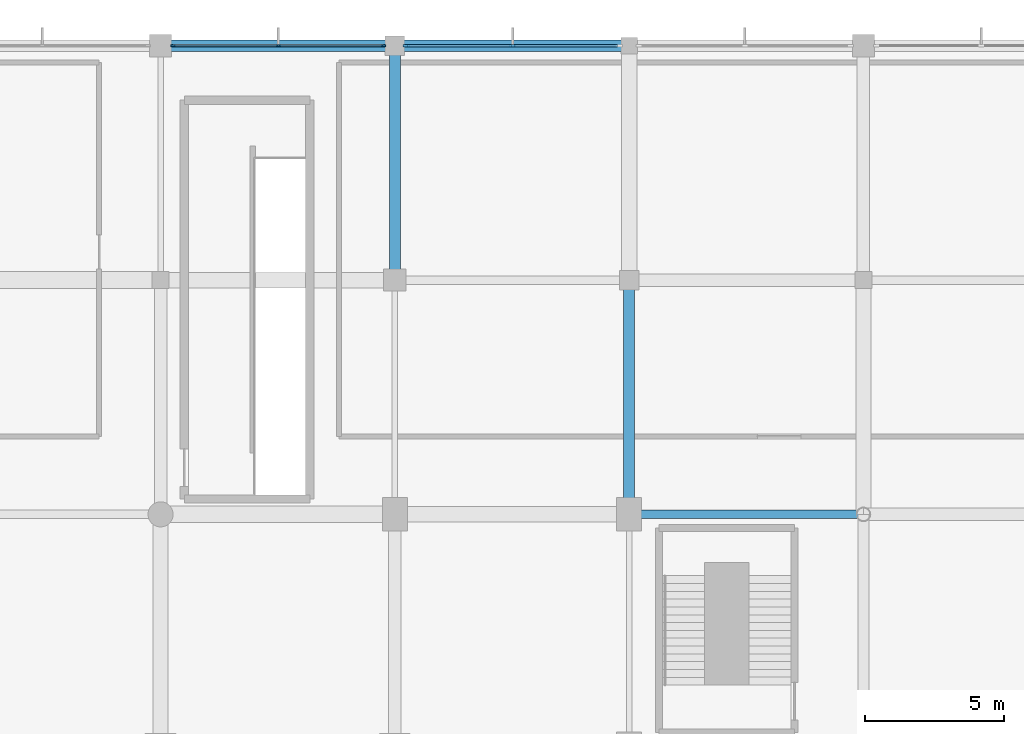
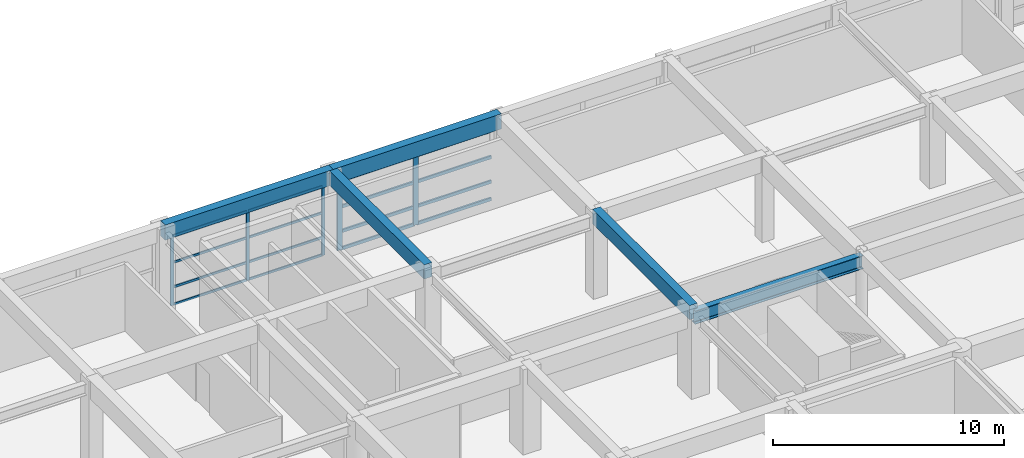
# One storey, part 24 of 56: 21 members, 5 beams, 2 elements without a shape of their own.
"""IFC4 building model written with IfcOpenShell, lengths in metres."""

from ifc_helpers import new_model, si_unit, direction, frame, origin, origin_2d, place, context, subcontext, project, spatial, rectangle, i_section, extrude, material, material_profile, profile_set, type_object, element, aggregate, save


model = new_model("IFC4")

# Units and contexts
model_context = context("Model", 3, precision=1e-05, world=origin(), true_north=direction((0.0, 1.0)))
body_context = subcontext(model_context, "Body", "Model", "MODEL_VIEW")
ifc_project = project(units=[si_unit("LENGTHUNIT", "METRE"), si_unit("AREAUNIT", "SQUARE_METRE"), si_unit("VOLUMEUNIT", "CUBIC_METRE"), si_unit("PLANEANGLEUNIT", "RADIAN"), si_unit("MASSUNIT", "GRAM", prefix="KILO")], contexts=[model_context])

# Site, building, storey
site_placement = place(None, origin())
site = spatial("IfcSite", under=ifc_project, at=site_placement, CompositionType="ELEMENT")
building_placement = place(site_placement, origin())
building = spatial("IfcBuilding", under=site, at=building_placement, Name="Xuanlan Plaza Opera House", CompositionType="ELEMENT")
storey_placement = place(building_placement, frame((0.0, 0.0, 18.89990234375)))
storey = spatial("IfcBuildingStorey", under=building, at=storey_placement, Name="L04", CompositionType="ELEMENT", Elevation=18.89990234375)

# Curtain wall, members
ifc_material_1 = material(Name="Anodised Aluminium 6063-T6 and Low-E Glass", Category="aluminium")
curtain_wall_type_1 = type_object("IfcCurtainWallType", Name="ENV-CW-CW-06", PredefinedType="USERDEFINED", material=ifc_material_1)
curtain_wall_1_placement = place(storey_placement, origin())
curtain_wall_1 = element("IfcCurtainWall", 1, at=curtain_wall_1_placement, inside=storey, type_object=curtain_wall_type_1, Name="Acoustic Glazed Wall L04-035", ObjectType="ACOUSTIC GLAZED WALL", PredefinedType="USERDEFINED")
ifc_material_2 = material(Name="Anodised Aluminium 6063-T6", Category="aluminium")
ifc_material_profile_1 = material_profile(ifc_material_2, rectangle(XDim=0.06494140625, YDim=0.159912109375, at=origin_2d()), Name="ALU-M 65x160")
ifc_profile_set_1 = profile_set([ifc_material_profile_1], Name="Anodised Aluminium 6063-T6")
member_type_1 = type_object("IfcMemberType", Name="ENV-CWM-01", PredefinedType="MULLION", material=ifc_profile_set_1)
member_1_placement = place(storey_placement, frame((91.99755859375, 100.800048828125, 0.0), z_axis=(0.0, 0.0, 1.0), x_axis=(0.0, -1.0, 0.0)))
member_1 = element("IfcMember", 2, at=member_1_placement, type_object=member_type_1, Name="CW-06 mullion 1", PredefinedType="MULLION", context=body_context, shape_type="SweptSolid", body=[
    extrude(rectangle(XDim=0.06494140625, YDim=0.159912109375, at=origin_2d()), origin(), (0.0, 0.0, 1.0), 3.68017578125),
])
member_2_placement = place(storey_placement, frame((88.22509765625, 100.800048828125, 0.0), z_axis=(0.0, 0.0, 1.0), x_axis=(0.0, -1.0, 0.0)))
member_2 = element("IfcMember", 3, at=member_2_placement, type_object=member_type_1, Name="CW-06 mullion 2", PredefinedType="MULLION", context=body_context, shape_type="SweptSolid", body=[
    extrude(rectangle(XDim=0.06494140625, YDim=0.159912109375, at=origin_2d()), origin(), (0.0, 0.0, 1.0), 3.68017578125),
])
member_3_placement = place(storey_placement, frame((84.452392578125, 100.800048828125, 0.0), z_axis=(0.0, 0.0, 1.0), x_axis=(0.0, -1.0, 0.0)))
member_3 = element("IfcMember", 4, at=member_3_placement, type_object=member_type_1, Name="CW-06 mullion 3", PredefinedType="MULLION", context=body_context, shape_type="SweptSolid", body=[
    extrude(rectangle(XDim=0.06494140625, YDim=0.159912109375, at=origin_2d()), origin(), (0.0, 0.0, 1.0), 3.68017578125),
])

curtain_wall_type_2 = type_object("IfcCurtainWallType", Name="ENV-CW-CW-05", PredefinedType="USERDEFINED", material=ifc_material_1)
curtain_wall_2_placement = place(storey_placement, origin())
curtain_wall_2 = element("IfcCurtainWall", 5, at=curtain_wall_2_placement, inside=storey, type_object=curtain_wall_type_2, Name="Acoustic Glazed Wall L04-034", ObjectType="ACOUSTIC GLAZED WALL", PredefinedType="USERDEFINED")
ifc_material_profile_2 = material_profile(ifc_material_2, rectangle(XDim=0.090087890625, YDim=0.25, at=origin_2d()), Name="ALU-M 90x250")
ifc_profile_set_2 = profile_set([ifc_material_profile_2], Name="Anodised Aluminium 6063-T6")
member_type_2 = type_object("IfcMemberType", Name="ENV-CWM-05", PredefinedType="MULLION", material=ifc_profile_set_2)
member_4_placement = place(storey_placement, frame((96.625, 100.800048828125, 0.0), z_axis=(0.0, 0.0, 1.0), x_axis=(0.0, -1.0, 0.0)))
member_4 = element("IfcMember", 6, at=member_4_placement, type_object=member_type_2, Name="CW-05 mullion 2", PredefinedType="MULLION", context=body_context, shape_type="SweptSolid", body=[
    extrude(rectangle(XDim=0.090087890625, YDim=0.25, at=origin_2d()), origin(), (0.0, 0.0, 1.0), 3.68017578125),
])
member_5_placement = place(storey_placement, frame((92.81494140625, 100.800048828125, 0.0), z_axis=(0.0, 0.0, 1.0), x_axis=(0.0, -1.0, 0.0)))
member_5 = element("IfcMember", 7, at=member_5_placement, type_object=member_type_2, Name="CW-05 mullion 3", PredefinedType="MULLION", context=body_context, shape_type="SweptSolid", body=[
    extrude(rectangle(XDim=0.090087890625, YDim=0.25, at=origin_2d()), origin(), (0.0, 0.0, 1.0), 3.68017578125),
])

# Member
ifc_material_profile_3 = material_profile(ifc_material_2, rectangle(XDim=0.06494140625, YDim=0.1201171875, at=origin_2d()), Name="ALU-T 65x120")
ifc_profile_set_3 = profile_set([ifc_material_profile_3], Name="Anodised Aluminium 6063-T6")
member_type_3 = type_object("IfcMemberType", Name="ENV-CWT-01", PredefinedType="USERDEFINED", material=ifc_profile_set_3)
member_6_placement = place(storey_placement, frame((91.965087890625, 100.800048828125, 0.03271484375), z_axis=(-1.0, 0.0, 0.0), x_axis=(0.0, -1.0, 0.0)))
member_6 = element("IfcMember", 8, at=member_6_placement, type_object=member_type_3, Name="CW-06 transom 1.1", ObjectType="TRANSOM", PredefinedType="USERDEFINED", context=body_context, shape_type="SweptSolid", body=[
    extrude(rectangle(XDim=0.06494140625, YDim=0.1201171875, at=origin_2d()), origin(), (0.0, 0.0, 1.0), 3.70751953125),
])

member_7_placement = place(storey_placement, frame((91.965087890625, 100.800048828125, 0.9501953125), z_axis=(-1.0, 0.0, 0.0), x_axis=(0.0, -1.0, 0.0)))
member_7 = element("IfcMember", 9, at=member_7_placement, type_object=member_type_3, Name="CW-06 transom 1.2", ObjectType="TRANSOM", PredefinedType="USERDEFINED", context=body_context, shape_type="SweptSolid", body=[
    extrude(rectangle(XDim=0.06494140625, YDim=0.1201171875, at=origin_2d()), origin(), (0.0, 0.0, 1.0), 3.70751953125),
])

member_8_placement = place(storey_placement, frame((91.965087890625, 100.800048828125, 2.25), z_axis=(-1.0, 0.0, 0.0), x_axis=(0.0, -1.0, 0.0)))
member_8 = element("IfcMember", 10, at=member_8_placement, type_object=member_type_3, Name="CW-06 transom 1.3", ObjectType="TRANSOM", PredefinedType="USERDEFINED", context=body_context, shape_type="SweptSolid", body=[
    extrude(rectangle(XDim=0.06494140625, YDim=0.1201171875, at=origin_2d()), origin(), (0.0, 0.0, 1.0), 3.70751953125),
])

member_9_placement = place(storey_placement, frame((91.965087890625, 100.800048828125, 3.647705078125), z_axis=(-1.0, 0.0, 0.0), x_axis=(0.0, -1.0, 0.0)))
member_9 = element("IfcMember", 11, at=member_9_placement, type_object=member_type_3, Name="CW-06 transom 1.4", ObjectType="TRANSOM", PredefinedType="USERDEFINED", context=body_context, shape_type="SweptSolid", body=[
    extrude(rectangle(XDim=0.06494140625, YDim=0.1201171875, at=origin_2d()), origin(), (0.0, 0.0, 1.0), 3.70751953125),
])

member_10_placement = place(storey_placement, frame((88.1923828125, 100.800048828125, 0.03271484375), z_axis=(-1.0, 0.0, 0.0), x_axis=(0.0, -1.0, 0.0)))
member_10 = element("IfcMember", 12, at=member_10_placement, type_object=member_type_3, Name="CW-06 transom 2.1", ObjectType="TRANSOM", PredefinedType="USERDEFINED", context=body_context, shape_type="SweptSolid", body=[
    extrude(rectangle(XDim=0.06494140625, YDim=0.1201171875, at=origin_2d()), origin(), (0.0, 0.0, 1.0), 3.707275390625),
])

member_11_placement = place(storey_placement, frame((88.1923828125, 100.800048828125, 0.9501953125), z_axis=(-1.0, 0.0, 0.0), x_axis=(0.0, -1.0, 0.0)))
member_11 = element("IfcMember", 13, at=member_11_placement, type_object=member_type_3, Name="CW-06 transom 2.2", ObjectType="TRANSOM", PredefinedType="USERDEFINED", context=body_context, shape_type="SweptSolid", body=[
    extrude(rectangle(XDim=0.06494140625, YDim=0.1201171875, at=origin_2d()), origin(), (0.0, 0.0, 1.0), 3.707275390625),
])

member_12_placement = place(storey_placement, frame((88.1923828125, 100.800048828125, 2.25), z_axis=(-1.0, 0.0, 0.0), x_axis=(0.0, -1.0, 0.0)))
member_12 = element("IfcMember", 14, at=member_12_placement, type_object=member_type_3, Name="CW-06 transom 2.3", ObjectType="TRANSOM", PredefinedType="USERDEFINED", context=body_context, shape_type="SweptSolid", body=[
    extrude(rectangle(XDim=0.06494140625, YDim=0.1201171875, at=origin_2d()), origin(), (0.0, 0.0, 1.0), 3.707275390625),
])

member_13_placement = place(storey_placement, frame((88.1923828125, 100.800048828125, 3.647705078125), z_axis=(-1.0, 0.0, 0.0), x_axis=(0.0, -1.0, 0.0)))
member_13 = element("IfcMember", 15, at=member_13_placement, type_object=member_type_3, Name="CW-06 transom 2.4", ObjectType="TRANSOM", PredefinedType="USERDEFINED", context=body_context, shape_type="SweptSolid", body=[
    extrude(rectangle(XDim=0.06494140625, YDim=0.1201171875, at=origin_2d()), origin(), (0.0, 0.0, 1.0), 3.707275390625),
])

aggregate(curtain_wall_1, [member_1, member_2, member_3, member_6, member_7, member_8, member_9, member_10, member_11, member_12, member_13])

ifc_material_profile_4 = material_profile(ifc_material_2, rectangle(XDim=0.080078125, YDim=0.1650390625, at=origin_2d()), Name="ALU-T 80x165")
ifc_profile_set_4 = profile_set([ifc_material_profile_4], Name="Anodised Aluminium 6063-T6")
member_type_4 = type_object("IfcMemberType", Name="ENV-CWT-04", PredefinedType="USERDEFINED", material=ifc_profile_set_4)
member_14_placement = place(storey_placement, frame((100.389892578125, 100.800048828125, 0.0400390625), z_axis=(-1.0, 0.0, 0.0), x_axis=(0.0, -1.0, 0.0)))
member_14 = element("IfcMember", 16, at=member_14_placement, type_object=member_type_4, Name="CW-05 transom 1.1", ObjectType="TRANSOM", PredefinedType="USERDEFINED", context=body_context, shape_type="SweptSolid", body=[
    extrude(rectangle(XDim=0.080078125, YDim=0.1650390625, at=origin_2d()), origin(), (0.0, 0.0, 1.0), 3.719970703125),
])

member_15_placement = place(storey_placement, frame((100.389892578125, 100.800048828125, 0.9501953125), z_axis=(-1.0, 0.0, 0.0), x_axis=(0.0, -1.0, 0.0)))
member_15 = element("IfcMember", 17, at=member_15_placement, type_object=member_type_4, Name="CW-05 transom 1.2", ObjectType="TRANSOM", PredefinedType="USERDEFINED", context=body_context, shape_type="SweptSolid", body=[
    extrude(rectangle(XDim=0.080078125, YDim=0.1650390625, at=origin_2d()), origin(), (0.0, 0.0, 1.0), 3.719970703125),
])

member_16_placement = place(storey_placement, frame((100.389892578125, 100.800048828125, 2.25), z_axis=(-1.0, 0.0, 0.0), x_axis=(0.0, -1.0, 0.0)))
member_16 = element("IfcMember", 18, at=member_16_placement, type_object=member_type_4, Name="CW-05 transom 1.3", ObjectType="TRANSOM", PredefinedType="USERDEFINED", context=body_context, shape_type="SweptSolid", body=[
    extrude(rectangle(XDim=0.080078125, YDim=0.1650390625, at=origin_2d()), origin(), (0.0, 0.0, 1.0), 3.719970703125),
])

member_17_placement = place(storey_placement, frame((100.389892578125, 100.800048828125, 3.64013671875), z_axis=(-1.0, 0.0, 0.0), x_axis=(0.0, -1.0, 0.0)))
member_17 = element("IfcMember", 19, at=member_17_placement, type_object=member_type_4, Name="CW-05 transom 1.4", ObjectType="TRANSOM", PredefinedType="USERDEFINED", context=body_context, shape_type="SweptSolid", body=[
    extrude(rectangle(XDim=0.080078125, YDim=0.1650390625, at=origin_2d()), origin(), (0.0, 0.0, 1.0), 3.719970703125),
])

member_18_placement = place(storey_placement, frame((96.580078125, 100.800048828125, 0.0400390625), z_axis=(-1.0, 0.0, 0.0), x_axis=(0.0, -1.0, 0.0)))
member_18 = element("IfcMember", 20, at=member_18_placement, type_object=member_type_4, Name="CW-05 transom 2.1", ObjectType="TRANSOM", PredefinedType="USERDEFINED", context=body_context, shape_type="SweptSolid", body=[
    extrude(rectangle(XDim=0.080078125, YDim=0.1650390625, at=origin_2d()), origin(), (0.0, 0.0, 1.0), 3.719970703125),
])

member_19_placement = place(storey_placement, frame((96.580078125, 100.800048828125, 0.9501953125), z_axis=(-1.0, 0.0, 0.0), x_axis=(0.0, -1.0, 0.0)))
member_19 = element("IfcMember", 21, at=member_19_placement, type_object=member_type_4, Name="CW-05 transom 2.2", ObjectType="TRANSOM", PredefinedType="USERDEFINED", context=body_context, shape_type="SweptSolid", body=[
    extrude(rectangle(XDim=0.080078125, YDim=0.1650390625, at=origin_2d()), origin(), (0.0, 0.0, 1.0), 3.719970703125),
])

member_20_placement = place(storey_placement, frame((96.580078125, 100.800048828125, 2.25), z_axis=(-1.0, 0.0, 0.0), x_axis=(0.0, -1.0, 0.0)))
member_20 = element("IfcMember", 22, at=member_20_placement, type_object=member_type_4, Name="CW-05 transom 2.3", ObjectType="TRANSOM", PredefinedType="USERDEFINED", context=body_context, shape_type="SweptSolid", body=[
    extrude(rectangle(XDim=0.080078125, YDim=0.1650390625, at=origin_2d()), origin(), (0.0, 0.0, 1.0), 3.719970703125),
])

member_21_placement = place(storey_placement, frame((96.580078125, 100.800048828125, 3.64013671875), z_axis=(-1.0, 0.0, 0.0), x_axis=(0.0, -1.0, 0.0)))
member_21 = element("IfcMember", 23, at=member_21_placement, type_object=member_type_4, Name="CW-05 transom 2.4", ObjectType="TRANSOM", PredefinedType="USERDEFINED", context=body_context, shape_type="SweptSolid", body=[
    extrude(rectangle(XDim=0.080078125, YDim=0.1650390625, at=origin_2d()), origin(), (0.0, 0.0, 1.0), 3.719970703125),
])

aggregate(curtain_wall_2, [member_4, member_5, member_14, member_15, member_16, member_17, member_18, member_19, member_20, member_21])

# Beams
ifc_material_3 = material(Name="Concrete C40", Category="concrete")
ifc_material_profile_5 = material_profile(ifc_material_3, rectangle(XDim=0.39990234375, YDim=0.75, at=origin_2d()), Name="RC-BM 400x750")
ifc_profile_set_5 = profile_set([ifc_material_profile_5], Name="Concrete C40")
beam_type_1 = type_object("IfcBeamType", Name="STR-BM-B-06", PredefinedType="BEAM", material=ifc_profile_set_5)
beam_1_placement = place(storey_placement, frame((92.39990234375, 92.39990234375, 4.125), z_axis=(0.0, 1.0, 0.0), x_axis=(-1.0, 0.0, 0.0)))
element("IfcBeam", 24, at=beam_1_placement, inside=storey, type_object=beam_type_1, Name="Grid Beam Y L04 12/L-M", PredefinedType="BEAM", context=body_context, shape_type="SweptSolid", body=[
    extrude(rectangle(XDim=0.39990234375, YDim=0.75, at=origin_2d()), origin(), (0.0, 0.0, 1.0), 8.400146484375),
])
beam_2_placement = place(storey_placement, frame((100.800048828125, 84.0, 4.125), z_axis=(0.0, 1.0, 0.0), x_axis=(-1.0, 0.0, 0.0)))
element("IfcBeam", 25, at=beam_2_placement, inside=storey, type_object=beam_type_1, Name="Grid Beam Y L04 13/K-L", PredefinedType="BEAM", context=body_context, shape_type="SweptSolid", body=[
    extrude(rectangle(XDim=0.39990234375, YDim=0.75, at=origin_2d()), origin(), (0.0, 0.0, 1.0), 8.39990234375),
])
ifc_material_4 = material(Name="Steel Q355B", Category="steel")
ifc_material_profile_6 = material_profile(ifc_material_4, i_section(OverallWidth=0.300048828125, OverallDepth=0.699951171875, WebThickness=0.012939453125, FlangeThickness=0.02392578125, FilletRadius=0.02392578125, at=origin_2d()), Name="HN 700x300x13x24")
ifc_profile_set_6 = profile_set([ifc_material_profile_6], Name="Steel Q355B")
beam_type_2 = type_object("IfcBeamType", Name="STR-BM-SB-03", PredefinedType="BEAM", material=ifc_profile_set_6)
beam_3_placement = place(storey_placement, frame((100.800048828125, 84.0, 3.885009765625), z_axis=(1.0, 0.0, 0.0), x_axis=(0.0, 1.0, 0.0)))
element("IfcBeam", 26, at=beam_3_placement, inside=storey, type_object=beam_type_2, Name="Grid Beam X L04 13-14/K", PredefinedType="BEAM", context=body_context, shape_type="SweptSolid", body=[
    extrude(i_section(OverallWidth=0.300048828125, OverallDepth=0.699951171875, WebThickness=0.012939453125, FlangeThickness=0.02392578125, FilletRadius=0.02392578125, at=origin_2d()), origin(), (0.0, 0.0, 1.0), 8.39990234375),
])
ifc_material_profile_7 = material_profile(ifc_material_3, rectangle(XDim=0.39990234375, YDim=0.800048828125, at=origin_2d()), Name="RC-SPD 400x800")
ifc_profile_set_7 = profile_set([ifc_material_profile_7], Name="Concrete C40")
beam_type_3 = type_object("IfcBeamType", Name="STR-BM-SP-01", PredefinedType="SPANDREL", material=ifc_profile_set_7)
beam_4_placement = place(storey_placement, frame((84.0, 100.800048828125, 4.10009765625), z_axis=(1.0, 0.0, 0.0), x_axis=(0.0, 1.0, 0.0)))
element("IfcBeam", 27, at=beam_4_placement, inside=storey, type_object=beam_type_3, Name="Grid Beam X L04 11-12/M", PredefinedType="SPANDREL", context=body_context, shape_type="SweptSolid", body=[
    extrude(rectangle(XDim=0.39990234375, YDim=0.800048828125, at=origin_2d()), origin(), (0.0, 0.0, 1.0), 8.39990234375),
])
beam_5_placement = place(storey_placement, frame((92.39990234375, 100.800048828125, 4.10009765625), z_axis=(1.0, 0.0, 0.0), x_axis=(0.0, 1.0, 0.0)))
element("IfcBeam", 28, at=beam_5_placement, inside=storey, type_object=beam_type_3, Name="Grid Beam X L04 12-13/M", PredefinedType="SPANDREL", context=body_context, shape_type="SweptSolid", body=[
    extrude(rectangle(XDim=0.39990234375, YDim=0.800048828125, at=origin_2d()), origin(), (0.0, 0.0, 1.0), 8.400146484375),
])

save(model, "model.ifc")
